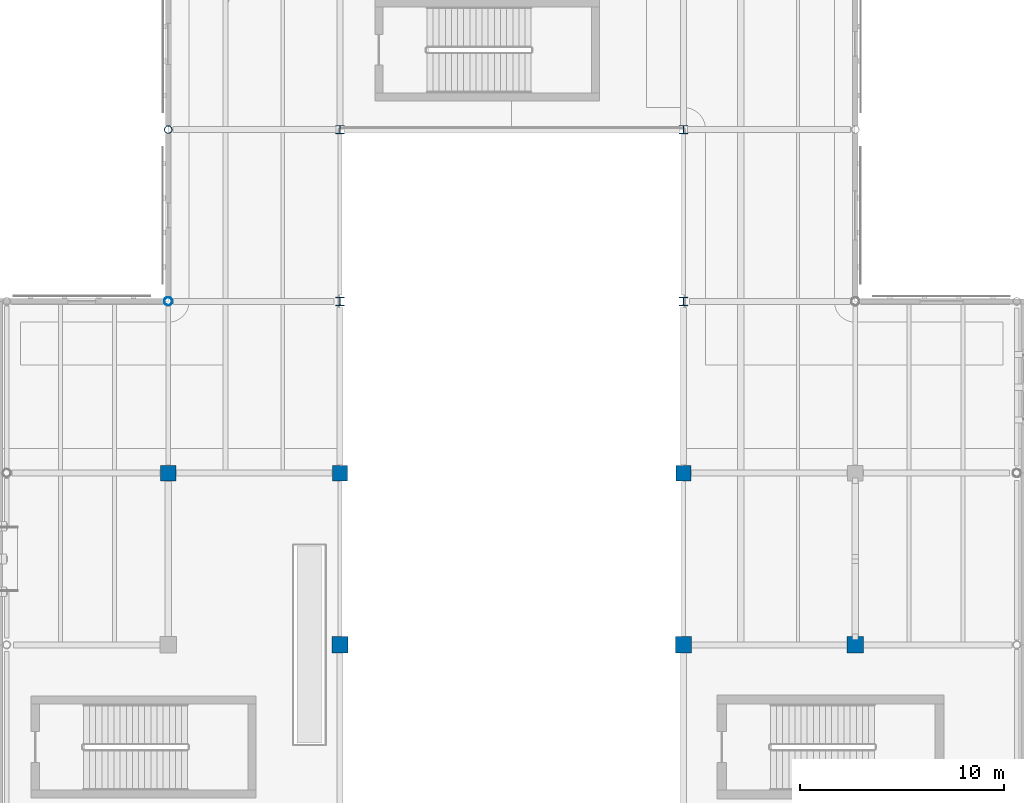
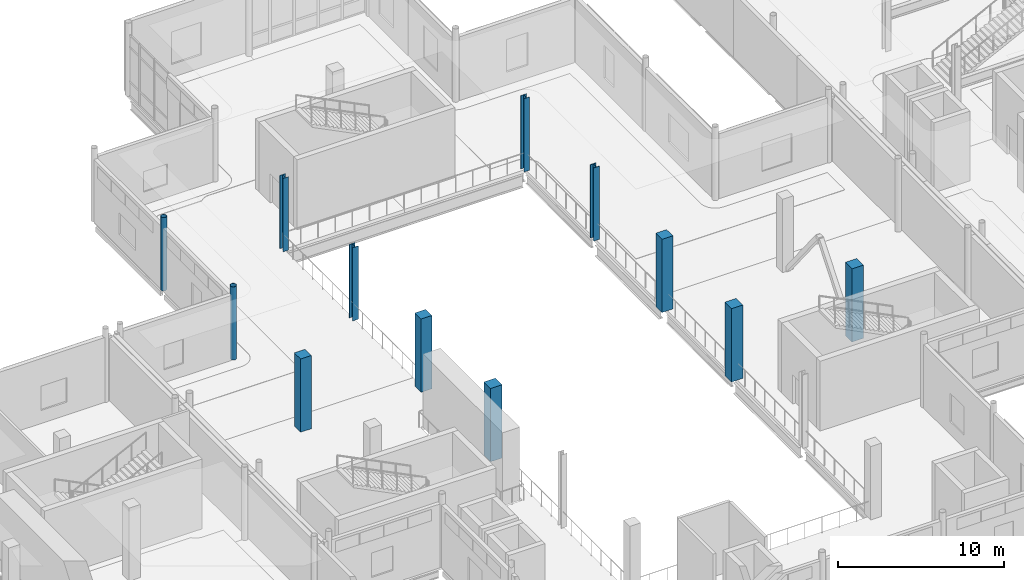
# One storey, part 8 of 110: 12 columns.
"""IFC4 building model written with IfcOpenShell, lengths in metres."""

from ifc_helpers import new_model, si_unit, direction, frame, origin, origin_2d, place, context, subcontext, project, spatial, rectangle, hollow_circle, i_section, extrude, material, material_profile, profile_set, type_object, element, save


model = new_model("IFC4")

# Units and contexts
model_context = context("Model", 3, precision=1e-05, world=origin(), true_north=direction((0.0, 1.0)))
body_context = subcontext(model_context, "Body", "Model", "MODEL_VIEW")
ifc_project = project(units=[si_unit("LENGTHUNIT", "METRE"), si_unit("AREAUNIT", "SQUARE_METRE"), si_unit("VOLUMEUNIT", "CUBIC_METRE"), si_unit("PLANEANGLEUNIT", "RADIAN"), si_unit("MASSUNIT", "GRAM", prefix="KILO"), si_unit("THERMODYNAMICTEMPERATUREUNIT", "KELVIN")], contexts=[model_context])

# Site, building, storey
site_placement = place(None, origin())
site = spatial("IfcSite", under=ifc_project, at=site_placement, CompositionType="ELEMENT")
building_placement = place(site_placement, origin())
building = spatial("IfcBuilding", under=site, at=building_placement, Name="Lustrewick Department Store", CompositionType="ELEMENT")
storey_placement = place(building_placement, frame((0.0, 0.0, 6.0)))
storey = spatial("IfcBuildingStorey", under=building, at=storey_placement, Name="L02", CompositionType="ELEMENT", Elevation=6.0)

# Columns
ifc_material_1 = material(Name="Structural steel Q355C", Category="steel")
ifc_material_profile_1 = material_profile(ifc_material_1, i_section(OverallWidth=0.405029296875, OverallDepth=0.4140625, WebThickness=0.01806640625, FlangeThickness=0.028076171875, FilletRadius=0.02197265625, at=origin_2d()), Name="HW 414x405x18x28")
ifc_profile_set_1 = profile_set([ifc_material_profile_1], Name="Structural steel Q355C")
column_type_1 = type_object("IfcColumnType", Name="C10", PredefinedType="COLUMN", material=ifc_profile_set_1)
for number, where, z_axis, x_axis, name in (
    (1, (75.60009765625, 84.0, 0.0), (0.0, 0.0, 1.0), (1.0, 0.0, 0.0), "L02 V2 Column C10"),
    (2, (92.39990234375, 84.0, 0.0), (0.0, 0.0, 1.0), (1.0, 0.0, 0.0), "L02 V2 Column C10"),
):
    element("IfcColumn", number, at=place(storey_placement, frame(where, z_axis=z_axis, x_axis=x_axis)), inside=storey, type_object=column_type_1, Name=name, PredefinedType="COLUMN", context=body_context, shape_type="SweptSolid", body=[
        extrude(i_section(OverallWidth=0.405029296875, OverallDepth=0.4140625, WebThickness=0.01806640625, FlangeThickness=0.028076171875, FilletRadius=0.02197265625, at=origin_2d()), origin(), (0.0, 0.0, 1.0), 5.39990234375),
    ])
ifc_material_2 = material(Name="Structural steel Q355B", Category="steel")
ifc_material_profile_2 = material_profile(ifc_material_2, i_section(OverallWidth=0.39990234375, OverallDepth=0.39990234375, WebThickness=0.012939453125, FlangeThickness=0.02099609375, FilletRadius=0.02197265625, at=origin_2d()), Name="HW 400x400x13x21")
ifc_profile_set_2 = profile_set([ifc_material_profile_2], Name="Structural steel Q355B")
column_type_2 = type_object("IfcColumnType", Name="C11", PredefinedType="COLUMN", material=ifc_profile_set_2)
for number, where, z_axis, x_axis, name in (
    (3, (75.60009765625, 92.39990234375, 0.0), (0.0, 0.0, 1.0), (1.0, 0.0, 0.0), "L02 V2 Column C11"),
    (4, (92.39990234375, 92.39990234375, 0.0), (0.0, 0.0, 1.0), (1.0, 0.0, 0.0), "L02 V2 Column C11"),
):
    element("IfcColumn", number, at=place(storey_placement, frame(where, z_axis=z_axis, x_axis=x_axis)), inside=storey, type_object=column_type_2, Name=name, PredefinedType="COLUMN", context=body_context, shape_type="SweptSolid", body=[
        extrude(i_section(OverallWidth=0.39990234375, OverallDepth=0.39990234375, WebThickness=0.012939453125, FlangeThickness=0.02099609375, FilletRadius=0.02197265625, at=origin_2d()), origin(), (0.0, 0.0, 1.0), 5.39990234375),
    ])
ifc_material_3 = material(Name="Concrete C40", Category="concrete")
ifc_material_profile_3 = material_profile(ifc_material_3, rectangle(XDim=0.800048828125, YDim=0.800048828125, at=origin_2d()), Name="RC 800x800")
ifc_profile_set_3 = profile_set([ifc_material_profile_3], Name="Concrete C40")
column_type_3 = type_object("IfcColumnType", Name="C19", PredefinedType="COLUMN", material=ifc_profile_set_3)
for number, where, z_axis, x_axis, name in (
    (5, (75.60009765625, 67.199951171875, 0.0), (0.0, 0.0, 1.0), (1.0, 0.0, 0.0), "L02 V2 Column C19"),
    (6, (92.39990234375, 67.199951171875, 0.0), (0.0, 0.0, 1.0), (1.0, 0.0, 0.0), "L02 V2 Column C19"),
    (7, (100.800048828125, 67.199951171875, 0.0), (0.0, 0.0, 1.0), (1.0, 0.0, 0.0), "L02 V2 Column C19"),
):
    element("IfcColumn", number, at=place(storey_placement, frame(where, z_axis=z_axis, x_axis=x_axis)), inside=storey, type_object=column_type_3, Name=name, PredefinedType="COLUMN", context=body_context, shape_type="SweptSolid", body=[
        extrude(rectangle(XDim=0.800048828125, YDim=0.800048828125, at=origin_2d()), origin(), (0.0, 0.0, 1.0), 5.39990234375),
    ])
ifc_material_profile_4 = material_profile(ifc_material_3, rectangle(XDim=0.75, YDim=0.75, at=origin_2d()), Name="RC 750x750")
ifc_profile_set_4 = profile_set([ifc_material_profile_4], Name="Concrete C40")
column_type_4 = type_object("IfcColumnType", Name="C20", PredefinedType="COLUMN", material=ifc_profile_set_4)
for number, where, z_axis, x_axis, name in (
    (8, (67.199951171875, 75.60009765625, 0.0), (0.0, 0.0, 1.0), (1.0, 0.0, 0.0), "L02 V2 Column C20"),
    (9, (75.60009765625, 75.60009765625, 0.0), (0.0, 0.0, 1.0), (1.0, 0.0, 0.0), "L02 V2 Column C20"),
    (10, (92.39990234375, 75.60009765625, 0.0), (0.0, 0.0, 1.0), (1.0, 0.0, 0.0), "L02 V2 Column C20"),
):
    element("IfcColumn", number, at=place(storey_placement, frame(where, z_axis=z_axis, x_axis=x_axis)), inside=storey, type_object=column_type_4, Name=name, PredefinedType="COLUMN", context=body_context, shape_type="SweptSolid", body=[
        extrude(rectangle(XDim=0.75, YDim=0.75, at=origin_2d()), origin(), (0.0, 0.0, 1.0), 5.39990234375),
    ])
ifc_material_profile_5 = material_profile(ifc_material_1, hollow_circle(Radius=0.202880859375, WallThickness=0.01611328125, at=origin_2d()), Name="CHS 406x16")
ifc_profile_set_5 = profile_set([ifc_material_profile_5], Name="Structural steel Q355C")
column_type_5 = type_object("IfcColumnType", Name="CE03", PredefinedType="COLUMN", material=ifc_profile_set_5)
column_1_placement = place(storey_placement, frame((67.199951171875, 84.0, 0.0), z_axis=(0.0, 0.0, 1.0), x_axis=(1.0, 0.0, 0.0)))
element("IfcColumn", 11, at=column_1_placement, inside=storey, type_object=column_type_5, Name="L02 V2 Column CE03", PredefinedType="COLUMN", context=body_context, shape_type="SweptSolid", body=[
    extrude(hollow_circle(Radius=0.202880859375, WallThickness=0.01611328125, at=origin_2d()), origin(), (0.0, 0.0, 1.0), 5.39990234375),
])
ifc_material_profile_6 = material_profile(ifc_material_2, hollow_circle(Radius=0.1884765625, WallThickness=0.013916015625, at=origin_2d()), Name="CHS 377x14")
ifc_profile_set_6 = profile_set([ifc_material_profile_6], Name="Structural steel Q355B")
column_type_6 = type_object("IfcColumnType", Name="CE04", PredefinedType="COLUMN", material=ifc_profile_set_6)
column_2_placement = place(storey_placement, frame((67.199951171875, 92.39990234375, 0.0), z_axis=(0.0, 0.0, 1.0), x_axis=(1.0, 0.0, 0.0)))
element("IfcColumn", 12, at=column_2_placement, inside=storey, type_object=column_type_6, Name="L02 V2 Column CE04", PredefinedType="COLUMN", context=body_context, shape_type="SweptSolid", body=[
    extrude(hollow_circle(Radius=0.1884765625, WallThickness=0.013916015625, at=origin_2d()), origin(), (0.0, 0.0, 1.0), 5.39990234375),
])

save(model, "model.ifc")
